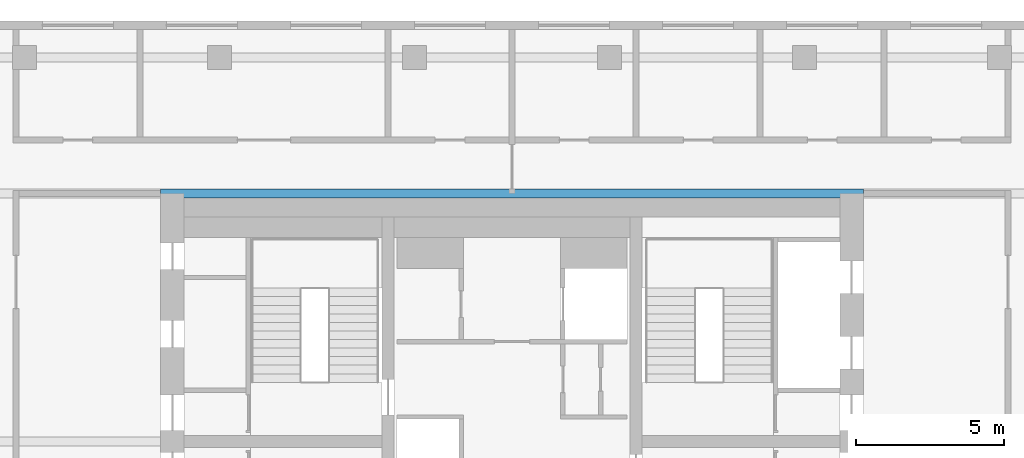
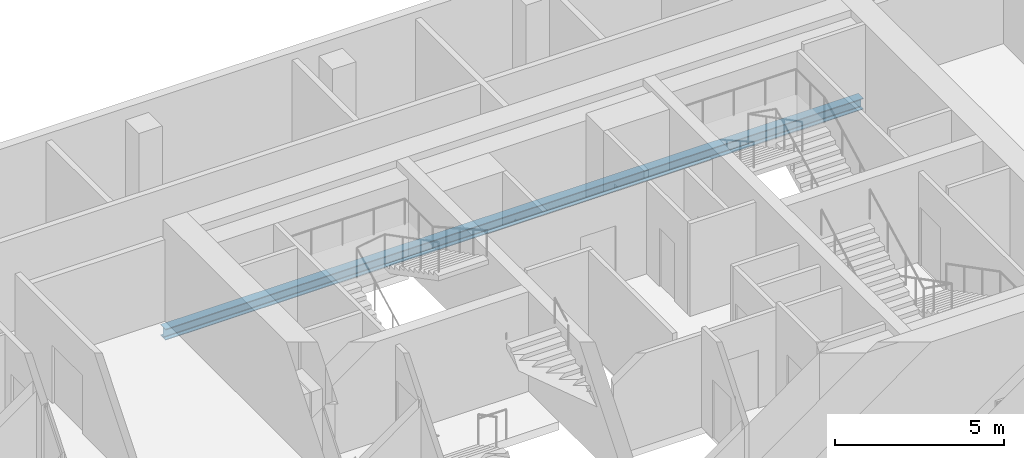
# One storey, part 9 of 22: 1 beam.
"""IFC4 building model written with IfcOpenShell, lengths in metres."""

import ifcopenshell
import ifcopenshell.guid

model = None  # the IFC model being written
_history = None  # IfcOwnerHistory: only IFC2X3 demands one
_inside = {}  # id of a spatial element -> (the spatial element, [elements in it])
_under = {}  # id of a project, library or spatial element -> (it, [spatial elements below it])
_declared = {}  # id of a project -> (the project, [libraries it declares])
_typed = {}  # id of a type object -> (the type object, [elements of that type])
_made_of = {}  # id of a material, layer set ... -> (it, [elements and type objects made of it])


def new_model(schema):
    """Start an empty IFC model of exactly this schema.

    Asked for "IFC4X3", IfcOpenShell would pick the latest addendum, in which some entities
    have other attributes; the version numbers below select the first issue.
    IFC2X3 requires an IfcOwnerHistory on every rooted entity: one is made here for all.
    """
    global model, _history
    if schema == "IFC4X3":
        model = ifcopenshell.file(schema_version=(4, 3, 0, 0))
    else:
        model = ifcopenshell.file(schema=schema)
    _inside.clear()
    _under.clear()
    _declared.clear()
    _typed.clear()
    _made_of.clear()
    _history = None
    if model.schema == "IFC2X3":
        org = make("IfcOrganization", Name="unknown")
        user = make(
            "IfcPersonAndOrganization",
            ThePerson=make("IfcPerson", FamilyName="unknown"),
            TheOrganization=org,
        )
        app = make(
            "IfcApplication",
            ApplicationDeveloper=org,
            Version="unknown",
            ApplicationFullName="unknown",
            ApplicationIdentifier="unknown",
        )
        _history = make(
            "IfcOwnerHistory",
            OwningUser=user,
            OwningApplication=app,
            ChangeAction="ADDED",
            CreationDate=0,
        )
    return model


def make(cls, **values):
    """One entity of the class cls with the attributes given. An attribute that is None is left unset."""
    return model.create_entity(
        cls, **{name: value for name, value in values.items() if value is not None}
    )


def rooted(cls, **values):
    """An entity with a GlobalId (a new one), such as an element, a storey or a relation."""
    return make(cls, GlobalId=ifcopenshell.guid.new(), OwnerHistory=_history, **values)


def si_unit(unit_type, name, prefix=None):
    """IfcSIUnit, for example si_unit("LENGTHUNIT", "METRE", prefix="MILLI")."""
    return make("IfcSIUnit", UnitType=unit_type, Prefix=prefix, Name=name)


def assignment(units):
    """IfcUnitAssignment: the units of a project."""
    return None if units is None else make("IfcUnitAssignment", Units=units)


def point(xyz):
    """IfcCartesianPoint."""
    return None if xyz is None else make("IfcCartesianPoint", Coordinates=xyz)


def direction(xyz):
    """IfcDirection."""
    return None if xyz is None else make("IfcDirection", DirectionRatios=xyz)


def frame(location, z_axis=None, x_axis=None):
    """IfcAxis2Placement3D, a coordinate frame: its origin and axes. An axis left out is left unset."""
    return make(
        "IfcAxis2Placement3D",
        Location=point(location),
        Axis=direction(z_axis),
        RefDirection=direction(x_axis),
    )


def frame_2d(location, x_axis=None):
    """IfcAxis2Placement2D, a coordinate frame in the plane: its origin and x axis."""
    return make(
        "IfcAxis2Placement2D", Location=point(location), RefDirection=direction(x_axis)
    )


def origin():
    """The frame at (0, 0, 0) with its axes left unset."""
    return frame((0.0, 0.0, 0.0))


def origin_2d():
    """The frame at (0, 0) in the plane with its x axis left unset."""
    return frame_2d((0.0, 0.0))


def place(relative_to, where):
    """IfcLocalPlacement: puts the frame where relative to a parent placement (None: the world)."""
    return make(
        "IfcLocalPlacement", PlacementRelTo=relative_to, RelativePlacement=where
    )


def context(
    kind, dimensions, precision=None, world=None, true_north=None, identifier=None
):
    """IfcGeometricRepresentationContext, for example the 3D "Model" context."""
    return make(
        "IfcGeometricRepresentationContext",
        ContextIdentifier=identifier,
        ContextType=kind,
        CoordinateSpaceDimension=dimensions,
        Precision=precision,
        WorldCoordinateSystem=world,
        TrueNorth=true_north,
    )


def subcontext(parent, identifier, kind, view, scale=None):
    """IfcGeometricRepresentationSubContext, for example "Body" below "Model"."""
    return make(
        "IfcGeometricRepresentationSubContext",
        ContextIdentifier=identifier,
        ContextType=kind,
        ParentContext=parent,
        TargetScale=scale,
        TargetView=view,
    )


def project(units=None, contexts=None):
    """IfcProject with its units and contexts."""
    return rooted(
        "IfcProject",
        Name="project",
        RepresentationContexts=contexts,
        UnitsInContext=assignment(units),
    )


def spatial(cls, under=None, at=None, **own):
    """A site, building, storey or space (cls), placed at a placement, below another one or the project."""
    s = rooted(cls, ObjectPlacement=at, **own)
    if under is not None:
        _under.setdefault(under.id(), (under, []))[1].append(s)
    return s


def profile(cls, at=None, kind="AREA", **sizes):
    """A parametric profile (cls). Its sizes go by their IFC names, for example OverallWidth=200.0."""
    return make(cls, ProfileType=kind, Position=at, **sizes)


def i_section(**sizes):
    """IfcIShapeProfileDef."""
    return profile("IfcIShapeProfileDef", **sizes)


def extrude(swept, where, along, depth):
    """IfcExtrudedAreaSolid: the profile swept, set in the frame where, extruded along a direction by depth."""
    return make(
        "IfcExtrudedAreaSolid",
        SweptArea=swept,
        Position=where,
        ExtrudedDirection=direction(along),
        Depth=depth,
    )


def shape(context_of_items, identifier, shape_type, items):
    """IfcShapeRepresentation: the items that make up one representation, for example the "Body"."""
    return make(
        "IfcShapeRepresentation",
        ContextOfItems=context_of_items,
        RepresentationIdentifier=identifier,
        RepresentationType=shape_type,
        Items=items,
    )


def material(Name=None, Category=None):
    """IfcMaterial."""
    return make("IfcMaterial", Name=Name, Category=Category)


def material_profile(
    of_material, cross_section, Name=None, Category=None, Priority=None
):
    """IfcMaterialProfile: a cross section and its material."""
    return make(
        "IfcMaterialProfile",
        Name=Name,
        Material=of_material,
        Profile=cross_section,
        Priority=Priority,
        Category=Category,
    )


def profile_set(profiles, Name=None, composite=None):
    """IfcMaterialProfileSet."""
    return make(
        "IfcMaterialProfileSet",
        Name=Name,
        MaterialProfiles=profiles,
        CompositeProfile=composite,
    )


def made_of(thing, what):
    """Note that an element or type object is made of a material, layer set ...; save() writes the relation."""
    if what is not None:
        _made_of.setdefault(what.id(), (what, []))[1].append(thing)
    return thing


def type_object(cls, material=None, **own):
    """A type object (cls), such as IfcWallType, which elements share."""
    return made_of(rooted(cls, **own), material)


def element(
    cls,
    number,
    at=None,
    inside=None,
    cuts=None,
    type_object=None,
    material=None,
    context=None,
    identifier="Body",
    shape_type=None,
    held_by="IfcProductDefinitionShape",
    body=None,
    shapes=None,
    **own,
):
    """One element of the class cls, such as IfcWall. Its Tag is "e" and its number.

    at: its placement. inside: the storey or other place that contains it. cuts: it is an
    opening in that element (IfcRelVoidsElement). A single representation is given by context,
    identifier, shape_type and body (its items); several are given by shapes. held_by: the class
    of the entity that holds the representations. save() writes the other relations.
    """
    e = rooted(cls, Tag="e%d" % number, ObjectPlacement=at, **own)
    if body is not None:
        shapes = [shape(context, identifier, shape_type, body)]
    if shapes is not None:
        e.Representation = make(held_by, Representations=shapes)
    if inside is not None:
        _inside.setdefault(inside.id(), (inside, []))[1].append(e)
    if cuts is not None:
        rooted(
            "IfcRelVoidsElement", RelatingBuildingElement=cuts, RelatedOpeningElement=e
        )
    if type_object is not None:
        _typed.setdefault(type_object.id(), (type_object, []))[1].append(e)
    return made_of(e, material)


def aggregate(whole, parts):
    """IfcRelAggregates: a whole, such as a stair, and the parts it consists of."""
    return rooted("IfcRelAggregates", RelatingObject=whole, RelatedObjects=parts)


def save(model, path):
    """Write the relations noted so far, then the file.

    IfcRelAggregates (storeys below a building ...), IfcRelContainedInSpatialStructure (elements
    in a storey), IfcRelDefinesByType, IfcRelAssociatesMaterial and IfcRelDeclares: one each for
    every whole, place, type object, material and project.
    """
    for whole, parts in _under.values():
        aggregate(whole, parts)
    for where, things in _inside.values():
        rooted(
            "IfcRelContainedInSpatialStructure",
            RelatedElements=things,
            RelatingStructure=where,
        )
    for kind, things in _typed.values():
        rooted("IfcRelDefinesByType", RelatedObjects=things, RelatingType=kind)
    for what, things in _made_of.values():
        rooted("IfcRelAssociatesMaterial", RelatedObjects=things, RelatingMaterial=what)
    for by, libraries in _declared.values():
        rooted("IfcRelDeclares", RelatingContext=by, RelatedDefinitions=libraries)
    model.write(path)


model = new_model("IFC4")

# Units and contexts
model_context = context("Model", 3, precision=1e-05, world=origin(), true_north=direction((0.0, 1.0)))
body_context = subcontext(model_context, "Body", "Model", "MODEL_VIEW")
ifc_project = project(units=[si_unit("LENGTHUNIT", "METRE"), si_unit("AREAUNIT", "SQUARE_METRE"), si_unit("VOLUMEUNIT", "CUBIC_METRE"), si_unit("PLANEANGLEUNIT", "RADIAN"), si_unit("MASSUNIT", "GRAM", prefix="KILO")], contexts=[model_context])

# Site, building, storey
site_placement = place(None, origin())
site = spatial("IfcSite", under=ifc_project, at=site_placement, CompositionType="ELEMENT")
building_placement = place(site_placement, origin())
building = spatial("IfcBuilding", under=site, at=building_placement, Name="Marenta Gate Hotel Tower", CompositionType="ELEMENT")
storey_placement = place(building_placement, frame((0.0, 0.0, 230.89990234375)))
storey = spatial("IfcBuildingStorey", under=building, at=storey_placement, Name="L54", CompositionType="ELEMENT", Elevation=230.89990234375)

# Beam
ifc_material = material(Name="Steel S355", Category="steel")
ifc_material_profile = material_profile(ifc_material, i_section(OverallWidth=0.300048828125, OverallDepth=0.39990234375, WebThickness=0.013427734375, FlangeThickness=0.02392578125, FilletRadius=0.027099609375, at=origin_2d()), Name="HEB 400")
ifc_profile_set = profile_set([ifc_material_profile], Name="Steel S355")
beam_type = type_object("IfcBeamType", Name="Girder HEB 400", PredefinedType="BEAM", material=ifc_profile_set)
beam_placement = place(storey_placement, frame((-11.89990234375, 16.800048828125, -0.4599609375), z_axis=(1.0, 0.0, 0.0), x_axis=(0.0, 1.0, 0.0)))
element("IfcBeam", 1, at=beam_placement, inside=storey, type_object=beam_type, Name="L54-GD-31", PredefinedType="BEAM", context=body_context, shape_type="SweptSolid", body=[
    extrude(i_section(OverallWidth=0.300048828125, OverallDepth=0.39990234375, WebThickness=0.013427734375, FlangeThickness=0.02392578125, FilletRadius=0.027099609375, at=origin_2d()), origin(), (0.0, 0.0, 1.0), 23.7998046875),
])

save(model, "model.ifc")
